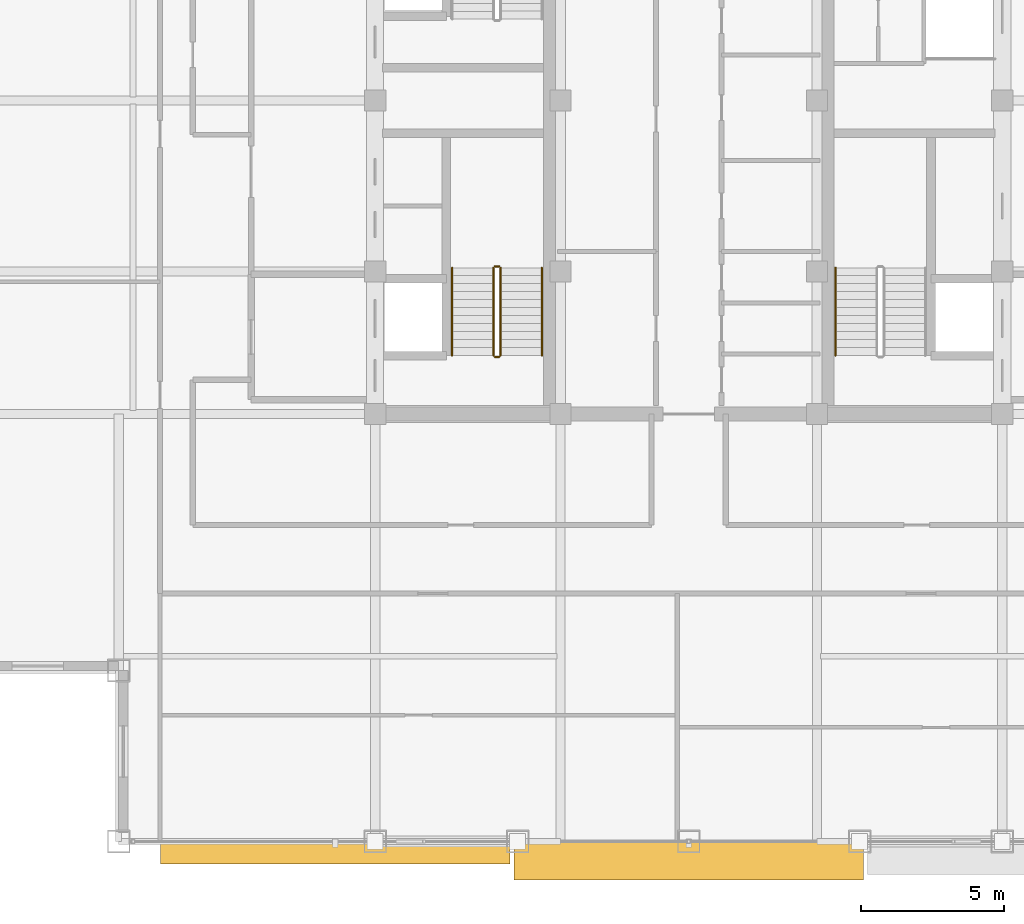
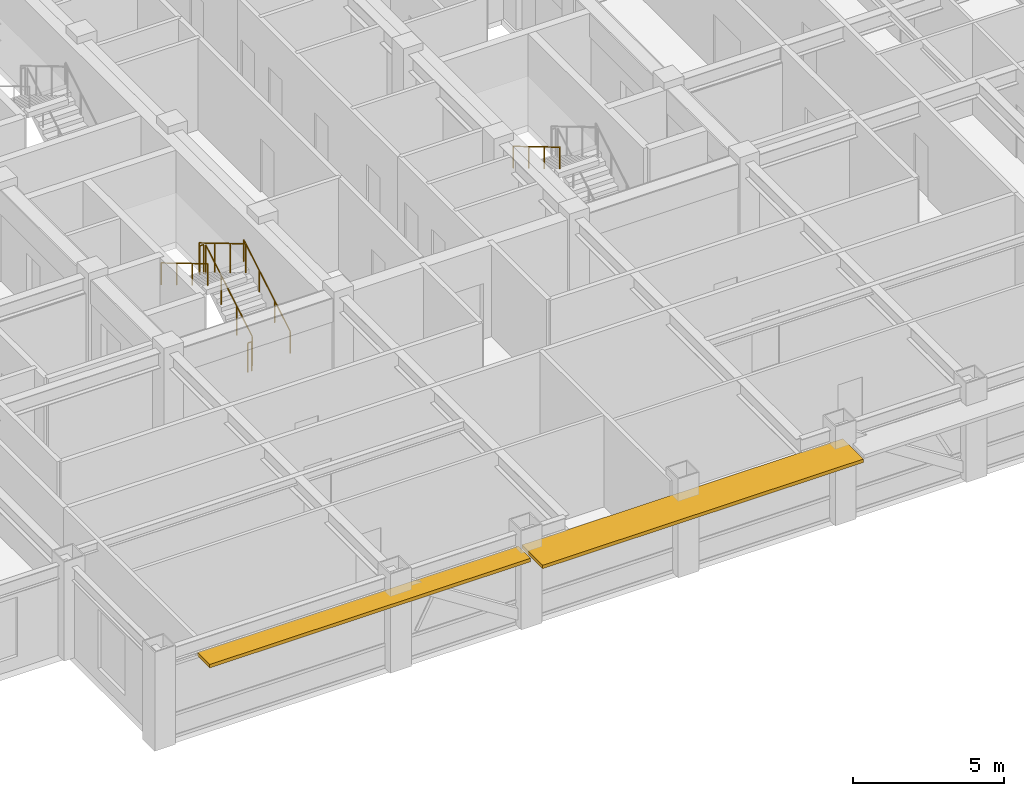
# One storey, part 28 of 32: 7 railings, 2 shading devices.
"""IFC4 building model written with IfcOpenShell, lengths in metres."""

import ifcopenshell
import ifcopenshell.guid

model = None  # the IFC model being written
_history = None  # IfcOwnerHistory: only IFC2X3 demands one
_inside = {}  # id of a spatial element -> (the spatial element, [elements in it])
_under = {}  # id of a project, library or spatial element -> (it, [spatial elements below it])
_declared = {}  # id of a project -> (the project, [libraries it declares])
_typed = {}  # id of a type object -> (the type object, [elements of that type])
_made_of = {}  # id of a material, layer set ... -> (it, [elements and type objects made of it])


def new_model(schema):
    """Start an empty IFC model of exactly this schema.

    Asked for "IFC4X3", IfcOpenShell would pick the latest addendum, in which some entities
    have other attributes; the version numbers below select the first issue.
    IFC2X3 requires an IfcOwnerHistory on every rooted entity: one is made here for all.
    """
    global model, _history
    if schema == "IFC4X3":
        model = ifcopenshell.file(schema_version=(4, 3, 0, 0))
    else:
        model = ifcopenshell.file(schema=schema)
    _inside.clear()
    _under.clear()
    _declared.clear()
    _typed.clear()
    _made_of.clear()
    _history = None
    if model.schema == "IFC2X3":
        org = make("IfcOrganization", Name="unknown")
        user = make(
            "IfcPersonAndOrganization",
            ThePerson=make("IfcPerson", FamilyName="unknown"),
            TheOrganization=org,
        )
        app = make(
            "IfcApplication",
            ApplicationDeveloper=org,
            Version="unknown",
            ApplicationFullName="unknown",
            ApplicationIdentifier="unknown",
        )
        _history = make(
            "IfcOwnerHistory",
            OwningUser=user,
            OwningApplication=app,
            ChangeAction="ADDED",
            CreationDate=0,
        )
    return model


def make(cls, **values):
    """One entity of the class cls with the attributes given. An attribute that is None is left unset."""
    return model.create_entity(
        cls, **{name: value for name, value in values.items() if value is not None}
    )


def rooted(cls, **values):
    """An entity with a GlobalId (a new one), such as an element, a storey or a relation."""
    return make(cls, GlobalId=ifcopenshell.guid.new(), OwnerHistory=_history, **values)


def si_unit(unit_type, name, prefix=None):
    """IfcSIUnit, for example si_unit("LENGTHUNIT", "METRE", prefix="MILLI")."""
    return make("IfcSIUnit", UnitType=unit_type, Prefix=prefix, Name=name)


def assignment(units):
    """IfcUnitAssignment: the units of a project."""
    return None if units is None else make("IfcUnitAssignment", Units=units)


def point(xyz):
    """IfcCartesianPoint."""
    return None if xyz is None else make("IfcCartesianPoint", Coordinates=xyz)


def direction(xyz):
    """IfcDirection."""
    return None if xyz is None else make("IfcDirection", DirectionRatios=xyz)


def frame(location, z_axis=None, x_axis=None):
    """IfcAxis2Placement3D, a coordinate frame: its origin and axes. An axis left out is left unset."""
    return make(
        "IfcAxis2Placement3D",
        Location=point(location),
        Axis=direction(z_axis),
        RefDirection=direction(x_axis),
    )


def frame_2d(location, x_axis=None):
    """IfcAxis2Placement2D, a coordinate frame in the plane: its origin and x axis."""
    return make(
        "IfcAxis2Placement2D", Location=point(location), RefDirection=direction(x_axis)
    )


def origin():
    """The frame at (0, 0, 0) with its axes left unset."""
    return frame((0.0, 0.0, 0.0))


def origin_2d():
    """The frame at (0, 0) in the plane with its x axis left unset."""
    return frame_2d((0.0, 0.0))


def place(relative_to, where):
    """IfcLocalPlacement: puts the frame where relative to a parent placement (None: the world)."""
    return make(
        "IfcLocalPlacement", PlacementRelTo=relative_to, RelativePlacement=where
    )


def context(
    kind, dimensions, precision=None, world=None, true_north=None, identifier=None
):
    """IfcGeometricRepresentationContext, for example the 3D "Model" context."""
    return make(
        "IfcGeometricRepresentationContext",
        ContextIdentifier=identifier,
        ContextType=kind,
        CoordinateSpaceDimension=dimensions,
        Precision=precision,
        WorldCoordinateSystem=world,
        TrueNorth=true_north,
    )


def subcontext(parent, identifier, kind, view, scale=None):
    """IfcGeometricRepresentationSubContext, for example "Body" below "Model"."""
    return make(
        "IfcGeometricRepresentationSubContext",
        ContextIdentifier=identifier,
        ContextType=kind,
        ParentContext=parent,
        TargetScale=scale,
        TargetView=view,
    )


def project(units=None, contexts=None):
    """IfcProject with its units and contexts."""
    return rooted(
        "IfcProject",
        Name="project",
        RepresentationContexts=contexts,
        UnitsInContext=assignment(units),
    )


def spatial(cls, under=None, at=None, **own):
    """A site, building, storey or space (cls), placed at a placement, below another one or the project."""
    s = rooted(cls, ObjectPlacement=at, **own)
    if under is not None:
        _under.setdefault(under.id(), (under, []))[1].append(s)
    return s


def profile(cls, at=None, kind="AREA", **sizes):
    """A parametric profile (cls). Its sizes go by their IFC names, for example OverallWidth=200.0."""
    return make(cls, ProfileType=kind, Position=at, **sizes)


def rectangle(**sizes):
    """IfcRectangleProfileDef."""
    return profile("IfcRectangleProfileDef", **sizes)


def circle(**sizes):
    """IfcCircleProfileDef."""
    return profile("IfcCircleProfileDef", **sizes)


def extrude(swept, where, along, depth):
    """IfcExtrudedAreaSolid: the profile swept, set in the frame where, extruded along a direction by depth."""
    return make(
        "IfcExtrudedAreaSolid",
        SweptArea=swept,
        Position=where,
        ExtrudedDirection=direction(along),
        Depth=depth,
    )


def shape(context_of_items, identifier, shape_type, items):
    """IfcShapeRepresentation: the items that make up one representation, for example the "Body"."""
    return make(
        "IfcShapeRepresentation",
        ContextOfItems=context_of_items,
        RepresentationIdentifier=identifier,
        RepresentationType=shape_type,
        Items=items,
    )


def source(mapping_origin, context_of_items, identifier, shape_type, items):
    """IfcRepresentationMap: a shape defined once, which mapped items show again and again."""
    return make(
        "IfcRepresentationMap",
        MappingOrigin=mapping_origin,
        MappedRepresentation=shape(context_of_items, identifier, shape_type, items),
    )


def transform(
    local_origin,
    x_axis=None,
    y_axis=None,
    z_axis=None,
    scale=None,
    scale2=None,
    scale3=None,
    uniform=True,
):
    """IfcCartesianTransformationOperator3D, or its non-uniform kind. x_axis, y_axis, z_axis: its Axis1, 2, 3."""
    if uniform:
        return make(
            "IfcCartesianTransformationOperator3D",
            Axis1=direction(x_axis),
            Axis2=direction(y_axis),
            LocalOrigin=point(local_origin),
            Scale=scale,
            Axis3=direction(z_axis),
        )
    return make(
        "IfcCartesianTransformationOperator3DnonUniform",
        Axis1=direction(x_axis),
        Axis2=direction(y_axis),
        LocalOrigin=point(local_origin),
        Scale=scale,
        Axis3=direction(z_axis),
        Scale2=scale2,
        Scale3=scale3,
    )


def mapped(mapping_source, mapping_target):
    """IfcMappedItem: shows the shape of a source again, moved by a transform."""
    return make(
        "IfcMappedItem", MappingSource=mapping_source, MappingTarget=mapping_target
    )


def material(Name=None, Category=None):
    """IfcMaterial."""
    return make("IfcMaterial", Name=Name, Category=Category)


def layer(
    of_material, thickness, ventilated=None, Name=None, Category=None, Priority=None
):
    """IfcMaterialLayer: one layer of a wall or slab, of a material (None: an air gap)."""
    return make(
        "IfcMaterialLayer",
        Material=of_material,
        LayerThickness=thickness,
        IsVentilated=ventilated,
        Name=Name,
        Category=Category,
        Priority=Priority,
    )


def layer_set(layers, Name=None):
    """IfcMaterialLayerSet."""
    return make("IfcMaterialLayerSet", MaterialLayers=layers, LayerSetName=Name)


def made_of(thing, what):
    """Note that an element or type object is made of a material, layer set ...; save() writes the relation."""
    if what is not None:
        _made_of.setdefault(what.id(), (what, []))[1].append(thing)
    return thing


def type_object(cls, material=None, **own):
    """A type object (cls), such as IfcWallType, which elements share."""
    return made_of(rooted(cls, **own), material)


def element(
    cls,
    number,
    at=None,
    inside=None,
    cuts=None,
    type_object=None,
    material=None,
    context=None,
    identifier="Body",
    shape_type=None,
    held_by="IfcProductDefinitionShape",
    body=None,
    shapes=None,
    **own,
):
    """One element of the class cls, such as IfcWall. Its Tag is "e" and its number.

    at: its placement. inside: the storey or other place that contains it. cuts: it is an
    opening in that element (IfcRelVoidsElement). A single representation is given by context,
    identifier, shape_type and body (its items); several are given by shapes. held_by: the class
    of the entity that holds the representations. save() writes the other relations.
    """
    e = rooted(cls, Tag="e%d" % number, ObjectPlacement=at, **own)
    if body is not None:
        shapes = [shape(context, identifier, shape_type, body)]
    if shapes is not None:
        e.Representation = make(held_by, Representations=shapes)
    if inside is not None:
        _inside.setdefault(inside.id(), (inside, []))[1].append(e)
    if cuts is not None:
        rooted(
            "IfcRelVoidsElement", RelatingBuildingElement=cuts, RelatedOpeningElement=e
        )
    if type_object is not None:
        _typed.setdefault(type_object.id(), (type_object, []))[1].append(e)
    return made_of(e, material)


def aggregate(whole, parts):
    """IfcRelAggregates: a whole, such as a stair, and the parts it consists of."""
    return rooted("IfcRelAggregates", RelatingObject=whole, RelatedObjects=parts)


def save(model, path):
    """Write the relations noted so far, then the file.

    IfcRelAggregates (storeys below a building ...), IfcRelContainedInSpatialStructure (elements
    in a storey), IfcRelDefinesByType, IfcRelAssociatesMaterial and IfcRelDeclares: one each for
    every whole, place, type object, material and project.
    """
    for whole, parts in _under.values():
        aggregate(whole, parts)
    for where, things in _inside.values():
        rooted(
            "IfcRelContainedInSpatialStructure",
            RelatedElements=things,
            RelatingStructure=where,
        )
    for kind, things in _typed.values():
        rooted("IfcRelDefinesByType", RelatedObjects=things, RelatingType=kind)
    for what, things in _made_of.values():
        rooted("IfcRelAssociatesMaterial", RelatedObjects=things, RelatingMaterial=what)
    for by, libraries in _declared.values():
        rooted("IfcRelDeclares", RelatingContext=by, RelatedDefinitions=libraries)
    model.write(path)


model = new_model("IFC4")

# Units and contexts
model_context = context("Model", 3, precision=1e-05, world=origin(), true_north=direction((0.0, 1.0)))
body_context = subcontext(model_context, "Body", "Model", "MODEL_VIEW")
ifc_project = project(units=[si_unit("LENGTHUNIT", "METRE"), si_unit("AREAUNIT", "SQUARE_METRE"), si_unit("VOLUMEUNIT", "CUBIC_METRE"), si_unit("PLANEANGLEUNIT", "RADIAN"), si_unit("MASSUNIT", "GRAM", prefix="KILO")], contexts=[model_context])

# Site, building, storey
site_placement = place(None, origin())
site = spatial("IfcSite", under=ifc_project, at=site_placement, CompositionType="ELEMENT")
building_placement = place(site_placement, origin())
building = spatial("IfcBuilding", under=site, at=building_placement, Name="Khorayat Bourse Tower", CompositionType="ELEMENT")
storey_placement = place(building_placement, frame((0.0, 0.0, 342.300048828125)))
storey = spatial("IfcBuildingStorey", under=building, at=storey_placement, Name="L81", CompositionType="ELEMENT", Elevation=342.300048828125)

# Shading devices
ifc_material_1 = material(Name="Precast concrete C45/55", Category="concrete")
ifc_layer = layer(ifc_material_1, 0.139892578125)
ifc_layer_set = layer_set([ifc_layer], Name="Precast concrete C45/55")
shading_device_type = type_object("IfcShadingDeviceType", Name="SHD-WAVE-TRAY-B", PredefinedType="USERDEFINED", material=ifc_layer_set)
shared_shape_1 = source(origin(), body_context, "Body", "SweptSolid", [
    extrude(rectangle(XDim=12.260009765625, YDim=0.814208984375, at=origin_2d()), origin(), (0.0, 0.0, 1.0), 0.139892578125),
])
shading_device_1_placement = place(storey_placement, frame((-12.39990234375, -26.386962890625, 2.9501953125), z_axis=(0.0, 0.0, 1.0), x_axis=(1.0, 0.0, 0.0)))
element("IfcShadingDevice", 1, at=shading_device_1_placement, inside=storey, type_object=shading_device_type, Name="L81 Sinusoidal Wave Sunshade Tray S-1", ObjectType="SUNSHADE", PredefinedType="USERDEFINED", context=body_context, shape_type="MappedRepresentation", body=[
    mapped(shared_shape_1, transform((0.0, 0.0, 0.0), scale=1.0)),
])
shared_shape_2 = source(origin(), body_context, "Body", "SweptSolid", [
    extrude(rectangle(XDim=12.260009765625, YDim=1.36376953125, at=origin_2d()), origin(), (0.0, 0.0, 1.0), 0.139892578125),
])
shading_device_2_placement = place(storey_placement, frame((0.0, -26.661865234375, 2.9501953125), z_axis=(0.0, 0.0, 1.0), x_axis=(1.0, 0.0, 0.0)))
element("IfcShadingDevice", 2, at=shading_device_2_placement, inside=storey, type_object=shading_device_type, Name="L81 Sinusoidal Wave Sunshade Tray S-2", ObjectType="SUNSHADE", PredefinedType="USERDEFINED", context=body_context, shape_type="MappedRepresentation", body=[
    mapped(shared_shape_2, transform((0.0, 0.0, 0.0), scale=1.0)),
])

# Railings
ifc_material_2 = material(Name="Powder-coated steel balustrade", Category="steel")
railing_type_1 = type_object("IfcRailingType", Name="RLG-GUARD-1200", PredefinedType="GUARDRAIL", material=ifc_material_2)
shared_shape_3 = source(origin(), body_context, "Body", "SweptSolid", [
    extrude(circle(Radius=0.02392578125, at=origin_2d()), frame((0.0, 0.0, 1.17578125), z_axis=(-1.0, 0.0, 0.0), x_axis=(0.0, -1.0, 0.0)), (0.0, 0.0, 1.0), 0.150146484375),
    extrude(circle(Radius=0.02099609375, at=origin_2d()), origin(), (0.0, 0.0, 1.0), 1.15185546875),
    extrude(circle(Radius=0.02099609375, at=origin_2d()), frame((-0.150146484375, 0.0, 0.0)), (0.0, 0.0, 1.0), 1.15185546875),
])
for number, where, name in (
    (3, (-6.64990234375, -5.820068359375, 2.0), "L81 ST-1 stair guard 2"),
    (4, (-6.64990234375, -9.0, 0.0), "L81 ST-1 stair guard 4"),
):
    element("IfcRailing", number, at=place(storey_placement, frame(where)), inside=storey, type_object=railing_type_1, Name=name, PredefinedType="GUARDRAIL", context=body_context, shape_type="MappedRepresentation", body=[
        mapped(shared_shape_3, transform((0.0, 0.0, 0.0), scale=1.0)),
    ])
shared_shape_4 = source(origin(), body_context, "Body", "SweptSolid", [
    extrude(circle(Radius=0.02392578125, at=origin_2d()), frame((0.0, 0.0, 1.17578125), z_axis=(0.0, 0.859260807169, 0.511537745687), x_axis=(-1.0, 0.0, 0.0)), (0.0, 0.0, 1.0), 3.584228515625),
    extrude(circle(Radius=0.02099609375, at=origin_2d()), origin(), (0.0, 0.0, 1.0), 1.15185546875),
    extrude(circle(Radius=0.02099609375, at=origin_2d()), frame((0.0, 1.026611328125, 0.611083984375)), (0.0, 0.0, 1.0), 1.15185546875),
    extrude(circle(Radius=0.02099609375, at=origin_2d()), frame((0.0, 2.05322265625, 1.222412109375)), (0.0, 0.0, 1.0), 1.15185546875),
    extrude(circle(Radius=0.02099609375, at=origin_2d()), frame((0.0, 3.079833984375, 1.83349609375)), (0.0, 0.0, 1.0), 1.15185546875),
])
railing_1_placement = place(storey_placement, frame((-6.60009765625, -8.949951171875, 0.16650390625)))
element("IfcRailing", 5, at=railing_1_placement, inside=storey, type_object=railing_type_1, Name="L81 ST-1 stair guard 1", PredefinedType="GUARDRAIL", context=body_context, shape_type="MappedRepresentation", body=[
    mapped(shared_shape_4, transform((0.0, 0.0, 0.0), scale=1.0)),
])
shared_shape_5 = source(origin(), body_context, "Body", "SweptSolid", [
    extrude(circle(Radius=0.02392578125, at=origin_2d()), frame((0.0, 0.0, 1.17578125), z_axis=(0.0, -0.859260807169, 0.511537745687), x_axis=(1.0, 0.0, 0.0)), (0.0, 0.0, 1.0), 3.584228515625),
    extrude(circle(Radius=0.02099609375, at=origin_2d()), origin(), (0.0, 0.0, 1.0), 1.15185546875),
    extrude(circle(Radius=0.02099609375, at=origin_2d()), frame((0.0, -1.026611328125, 0.611083984375)), (0.0, 0.0, 1.0), 1.15185546875),
    extrude(circle(Radius=0.02099609375, at=origin_2d()), frame((0.0, -2.05322265625, 1.222412109375)), (0.0, 0.0, 1.0), 1.15185546875),
    extrude(circle(Radius=0.02099609375, at=origin_2d()), frame((0.0, -3.079833984375, 1.83349609375)), (0.0, 0.0, 1.0), 1.15185546875),
])
railing_2_placement = place(storey_placement, frame((-6.85009765625, -5.8701171875, 2.16650390625)))
element("IfcRailing", 6, at=railing_2_placement, inside=storey, type_object=railing_type_1, Name="L81 ST-1 stair guard 3", PredefinedType="GUARDRAIL", context=body_context, shape_type="MappedRepresentation", body=[
    mapped(shared_shape_5, transform((0.0, 0.0, 0.0), scale=1.0)),
])
ifc_material_3 = material(Name="Brushed bronze stainless-steel handrail", Category="steel")
railing_type_2 = type_object("IfcRailingType", Name="RLG-HAND-900", PredefinedType="HANDRAIL", material=ifc_material_3)
shared_shape_6 = source(origin(), body_context, "Body", "SweptSolid", [
    extrude(circle(Radius=0.02392578125, at=origin_2d()), frame((0.0, 0.0, 0.8759765625), z_axis=(0.0, 0.859260807169, 0.511537745687), x_axis=(-1.0, 0.0, 0.0)), (0.0, 0.0, 1.0), 3.584228515625),
    extrude(circle(Radius=0.02099609375, at=origin_2d()), origin(), (0.0, 0.0, 1.0), 0.851806640625),
    extrude(circle(Radius=0.02099609375, at=origin_2d()), frame((0.0, 1.026611328125, 0.611083984375)), (0.0, 0.0, 1.0), 0.851806640625),
    extrude(circle(Radius=0.02099609375, at=origin_2d()), frame((0.0, 2.05322265625, 1.222412109375)), (0.0, 0.0, 1.0), 0.851806640625),
    extrude(circle(Radius=0.02099609375, at=origin_2d()), frame((0.0, 3.079833984375, 1.83349609375)), (0.0, 0.0, 1.0), 0.851806640625),
])
railing_3_placement = place(storey_placement, frame((-5.14990234375, -8.949951171875, 0.16650390625)))
element("IfcRailing", 7, at=railing_3_placement, inside=storey, type_object=railing_type_2, Name="L81 ST-1 stair handrail 1", PredefinedType="HANDRAIL", context=body_context, shape_type="MappedRepresentation", body=[
    mapped(shared_shape_6, transform((0.0, 0.0, 0.0), scale=1.0)),
])
shared_shape_7 = source(origin(), body_context, "Body", "SweptSolid", [
    extrude(circle(Radius=0.02392578125, at=origin_2d()), frame((0.0, 0.0, 0.8759765625), z_axis=(0.0, -0.859260807169, 0.511537745687), x_axis=(1.0, 0.0, 0.0)), (0.0, 0.0, 1.0), 3.584228515625),
    extrude(circle(Radius=0.02099609375, at=origin_2d()), origin(), (0.0, 0.0, 1.0), 0.851806640625),
    extrude(circle(Radius=0.02099609375, at=origin_2d()), frame((0.0, -1.026611328125, 0.611083984375)), (0.0, 0.0, 1.0), 0.851806640625),
    extrude(circle(Radius=0.02099609375, at=origin_2d()), frame((0.0, -2.05322265625, 1.222412109375)), (0.0, 0.0, 1.0), 0.851806640625),
    extrude(circle(Radius=0.02099609375, at=origin_2d()), frame((0.0, -3.079833984375, 1.83349609375)), (0.0, 0.0, 1.0), 0.851806640625),
])
for number, where, name in (
    (8, (-8.300048828125, -5.8701171875, 2.16650390625), "L81 ST-1 stair handrail 2"),
    (9, (5.14990234375, -5.8701171875, 2.16650390625), "L81 ST-3 stair handrail 2"),
):
    element("IfcRailing", number, at=place(storey_placement, frame(where)), inside=storey, type_object=railing_type_2, Name=name, PredefinedType="HANDRAIL", context=body_context, shape_type="MappedRepresentation", body=[
        mapped(shared_shape_7, transform((0.0, 0.0, 0.0), scale=1.0)),
    ])

save(model, "model.ifc")
